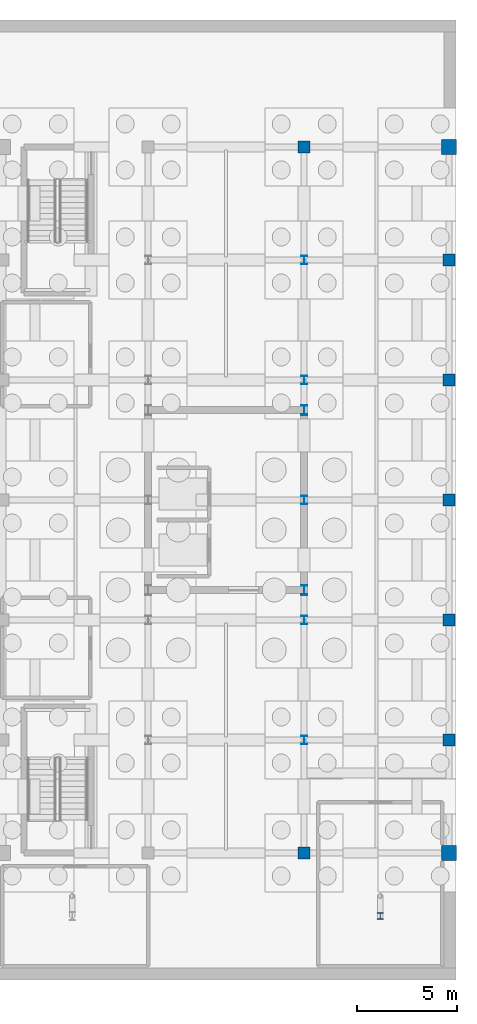
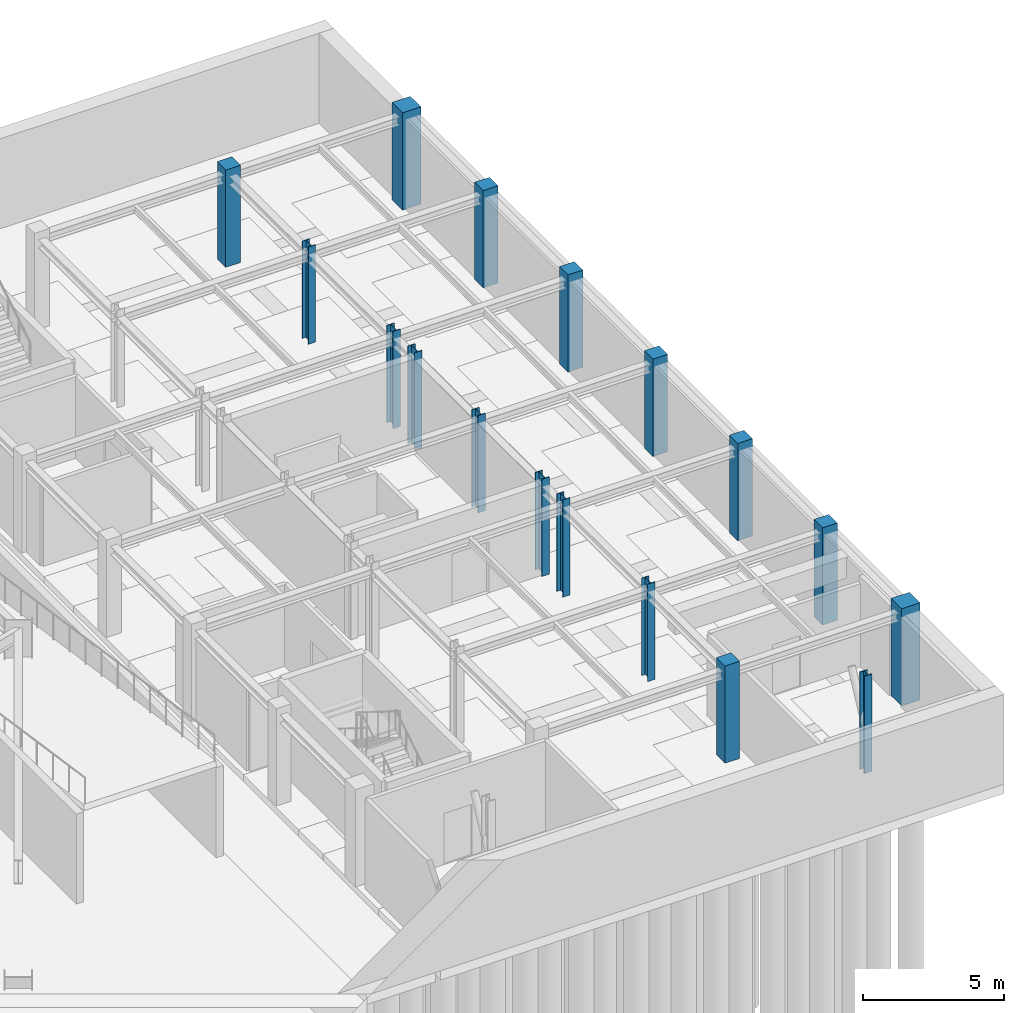
# One storey, part 7 of 18: 17 columns.
"""IFC4 building model written with IfcOpenShell, lengths in metres."""

from ifc_helpers import new_model, si_unit, direction, frame, origin, origin_2d, place, context, subcontext, project, spatial, rectangle, i_section, extrude, material, material_profile, profile_set, type_object, element, save


model = new_model("IFC4")

# Units and contexts
model_context = context("Model", 3, precision=1e-05, world=origin(), true_north=direction((0.0, 1.0)))
body_context = subcontext(model_context, "Body", "Model", "MODEL_VIEW")
ifc_project = project(units=[si_unit("LENGTHUNIT", "METRE"), si_unit("AREAUNIT", "SQUARE_METRE"), si_unit("VOLUMEUNIT", "CUBIC_METRE"), si_unit("PLANEANGLEUNIT", "RADIAN"), si_unit("MASSUNIT", "GRAM", prefix="KILO")], contexts=[model_context])

# Site, building, storey
site_placement = place(None, origin())
site = spatial("IfcSite", under=ifc_project, at=site_placement, CompositionType="ELEMENT")
building_placement = place(site_placement, origin())
building = spatial("IfcBuilding", under=site, at=building_placement, Name="Kranzbogen Civic Tower", CompositionType="ELEMENT")
storey_placement = place(building_placement, frame((0.0, 0.0, -8.39990234375)))
storey = spatial("IfcBuildingStorey", under=building, at=storey_placement, Name="B02", CompositionType="ELEMENT", Elevation=-8.39990234375)

# Columns
ifc_material_1 = material(Name="Steel S355", Category="steel")
ifc_material_profile_1 = material_profile(ifc_material_1, i_section(OverallWidth=0.300048828125, OverallDepth=0.449951171875, WebThickness=0.013916015625, FlangeThickness=0.02587890625, at=origin_2d()), Name="HEB 450")
ifc_profile_set_1 = profile_set([ifc_material_profile_1], Name="Steel S355")
column_type_1 = type_object("IfcColumnType", Name="Structural Column HEB 450", PredefinedType="COLUMN", material=ifc_profile_set_1)
for number, where, z_axis, x_axis, name in (
    (1, (67.39990234375, 13.0, 0.0), (0.0, 0.0, 1.0), (1.0, 0.0, 0.0), "B02 Health Centre column 12/C"),
    (2, (67.39990234375, 19.0, 0.0), (0.0, 0.0, 1.0), (1.0, 0.0, 0.0), "B02 Health Centre column 12/D"),
    (3, (67.39990234375, 25.0, 0.0), (0.0, 0.0, 1.0), (1.0, 0.0, 0.0), "B02 Health Centre column 12/E"),
    (4, (67.39990234375, 31.0, 0.0), (0.0, 0.0, 1.0), (1.0, 0.0, 0.0), "B02 Health Centre column 12/F"),
    (5, (67.39990234375, 37.0, 0.0), (0.0, 0.0, 1.0), (1.0, 0.0, 0.0), "B02 Health Centre column 12/G"),
):
    element("IfcColumn", number, at=place(storey_placement, frame(where, z_axis=z_axis, x_axis=x_axis)), inside=storey, type_object=column_type_1, Name=name, PredefinedType="COLUMN", context=body_context, shape_type="SweptSolid", body=[
        extrude(i_section(OverallWidth=0.300048828125, OverallDepth=0.449951171875, WebThickness=0.013916015625, FlangeThickness=0.02587890625, at=origin_2d()), origin(), (0.0, 0.0, 1.0), 4.199951171875),
    ])
ifc_material_profile_2 = material_profile(ifc_material_1, i_section(OverallWidth=0.300048828125, OverallDepth=0.5, WebThickness=0.014404296875, FlangeThickness=0.028076171875, at=origin_2d()), Name="HEB 500")
ifc_profile_set_2 = profile_set([ifc_material_profile_2], Name="Steel S355")
column_type_2 = type_object("IfcColumnType", Name="Structural Column HEB 500", PredefinedType="COLUMN", material=ifc_profile_set_2)
for number, where, z_axis, x_axis, name in (
    (6, (67.39990234375, 20.5, 0.0), (0.0, 0.0, 1.0), (1.0, 0.0, 0.0), "B02 Health Centre core corner column 2"),
    (7, (67.39990234375, 29.5, 0.0), (0.0, 0.0, 1.0), (1.0, 0.0, 0.0), "B02 Health Centre core corner column 3"),
):
    element("IfcColumn", number, at=place(storey_placement, frame(where, z_axis=z_axis, x_axis=x_axis)), inside=storey, type_object=column_type_2, Name=name, PredefinedType="COLUMN", context=body_context, shape_type="SweptSolid", body=[
        extrude(i_section(OverallWidth=0.300048828125, OverallDepth=0.5, WebThickness=0.014404296875, FlangeThickness=0.028076171875, at=origin_2d()), origin(), (0.0, 0.0, 1.0), 4.199951171875),
    ])
ifc_material_profile_3 = material_profile(ifc_material_1, i_section(OverallWidth=0.31005859375, OverallDepth=0.340087890625, WebThickness=0.02099609375, FlangeThickness=0.0390625, at=origin_2d()), Name="HEM 300")
ifc_profile_set_3 = profile_set([ifc_material_profile_3], Name="Steel S355")
column_type_3 = type_object("IfcColumnType", Name="Structural Column HEM 300", PredefinedType="COLUMN", material=ifc_profile_set_3)
column_placement = place(storey_placement, frame((71.199951171875, 4.199951171875, 0.0), z_axis=(0.0, 0.0, 1.0), x_axis=(1.0, 0.0, 0.0)))
element("IfcColumn", 8, at=column_placement, inside=storey, type_object=column_type_3, Name="B02 plant frame column 2", PredefinedType="COLUMN", context=body_context, shape_type="SweptSolid", body=[
    extrude(i_section(OverallWidth=0.31005859375, OverallDepth=0.340087890625, WebThickness=0.02099609375, FlangeThickness=0.0390625, at=origin_2d()), origin(), (0.0, 0.0, 1.0), 4.199951171875),
])
ifc_material_2 = material(Name="Concrete C40/50", Category="concrete")
ifc_material_profile_4 = material_profile(ifc_material_2, rectangle(XDim=0.60009765625, YDim=0.60009765625, at=origin_2d()), Name="RC 600x600")
ifc_profile_set_4 = profile_set([ifc_material_profile_4], Name="Concrete C40/50")
column_type_4 = type_object("IfcColumnType", Name="Structural Column RC 600x600", PredefinedType="COLUMN", material=ifc_profile_set_4)
for number, where, z_axis, x_axis, name in (
    (9, (67.39990234375, 7.35009765625, 0.0), (0.0, 0.0, 1.0), (1.0, 0.0, 0.0), "B02 Health Centre column 12/B"),
    (10, (67.39990234375, 42.64990234375, 0.0), (0.0, 0.0, 1.0), (1.0, 0.0, 0.0), "B02 Health Centre column 12/H"),
    (11, (74.64990234375, 13.0, 0.0), (0.0, 0.0, 1.0), (1.0, 0.0, 0.0), "B02 Health Centre column 13/C"),
    (12, (74.64990234375, 19.0, 0.0), (0.0, 0.0, 1.0), (1.0, 0.0, 0.0), "B02 Health Centre column 13/D"),
    (13, (74.64990234375, 25.0, 0.0), (0.0, 0.0, 1.0), (1.0, 0.0, 0.0), "B02 Health Centre column 13/E"),
    (14, (74.64990234375, 31.0, 0.0), (0.0, 0.0, 1.0), (1.0, 0.0, 0.0), "B02 Health Centre column 13/F"),
    (15, (74.64990234375, 37.0, 0.0), (0.0, 0.0, 1.0), (1.0, 0.0, 0.0), "B02 Health Centre column 13/G"),
):
    element("IfcColumn", number, at=place(storey_placement, frame(where, z_axis=z_axis, x_axis=x_axis)), inside=storey, type_object=column_type_4, Name=name, PredefinedType="COLUMN", context=body_context, shape_type="SweptSolid", body=[
        extrude(rectangle(XDim=0.60009765625, YDim=0.60009765625, at=origin_2d()), origin(), (0.0, 0.0, 1.0), 4.199951171875),
    ])
ifc_material_profile_5 = material_profile(ifc_material_2, rectangle(XDim=0.75, YDim=0.75, at=origin_2d()), Name="RC 750x750")
ifc_profile_set_5 = profile_set([ifc_material_profile_5], Name="Concrete C40/50")
column_type_5 = type_object("IfcColumnType", Name="Structural Column RC 750x750", PredefinedType="COLUMN", material=ifc_profile_set_5)
for number, where, z_axis, x_axis, name in (
    (16, (74.64990234375, 7.35009765625, 0.0), (0.0, 0.0, 1.0), (1.0, 0.0, 0.0), "B02 Health Centre column 13/B"),
    (17, (74.64990234375, 42.64990234375, 0.0), (0.0, 0.0, 1.0), (1.0, 0.0, 0.0), "B02 Health Centre column 13/H"),
):
    element("IfcColumn", number, at=place(storey_placement, frame(where, z_axis=z_axis, x_axis=x_axis)), inside=storey, type_object=column_type_5, Name=name, PredefinedType="COLUMN", context=body_context, shape_type="SweptSolid", body=[
        extrude(rectangle(XDim=0.75, YDim=0.75, at=origin_2d()), origin(), (0.0, 0.0, 1.0), 4.199951171875),
    ])

save(model, "model.ifc")
